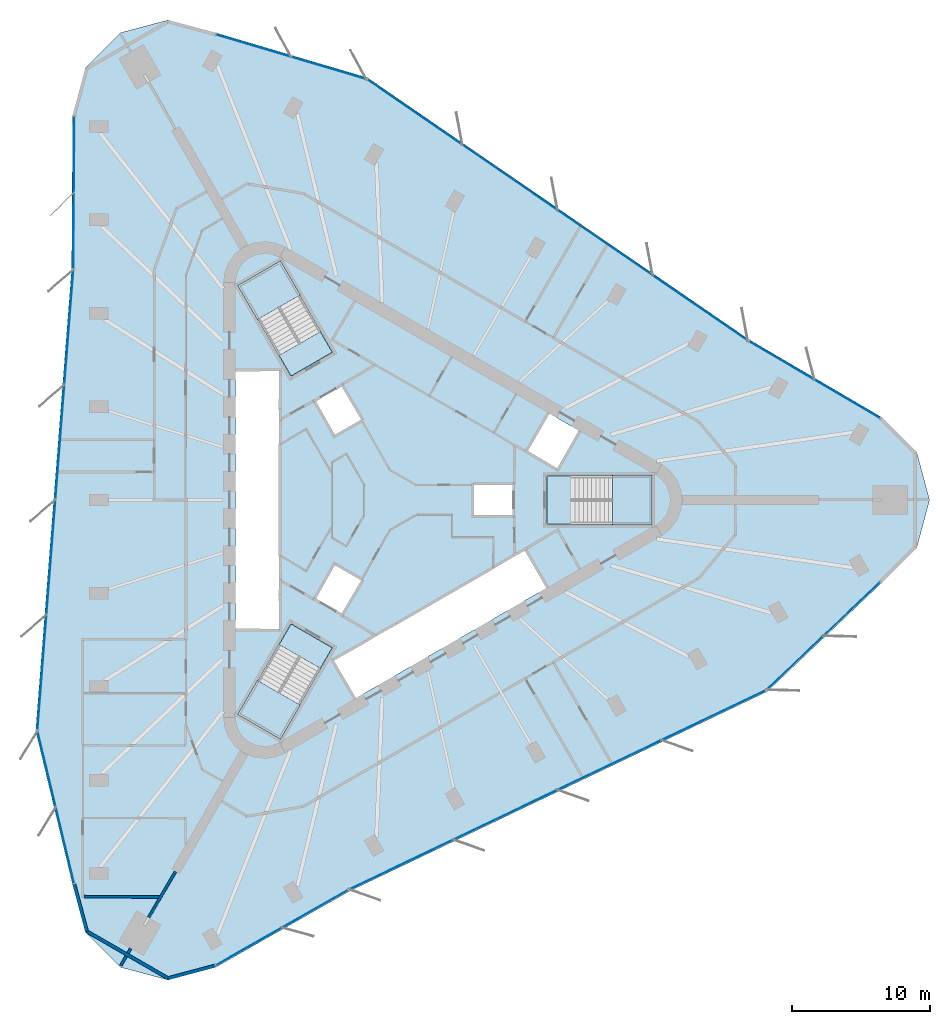
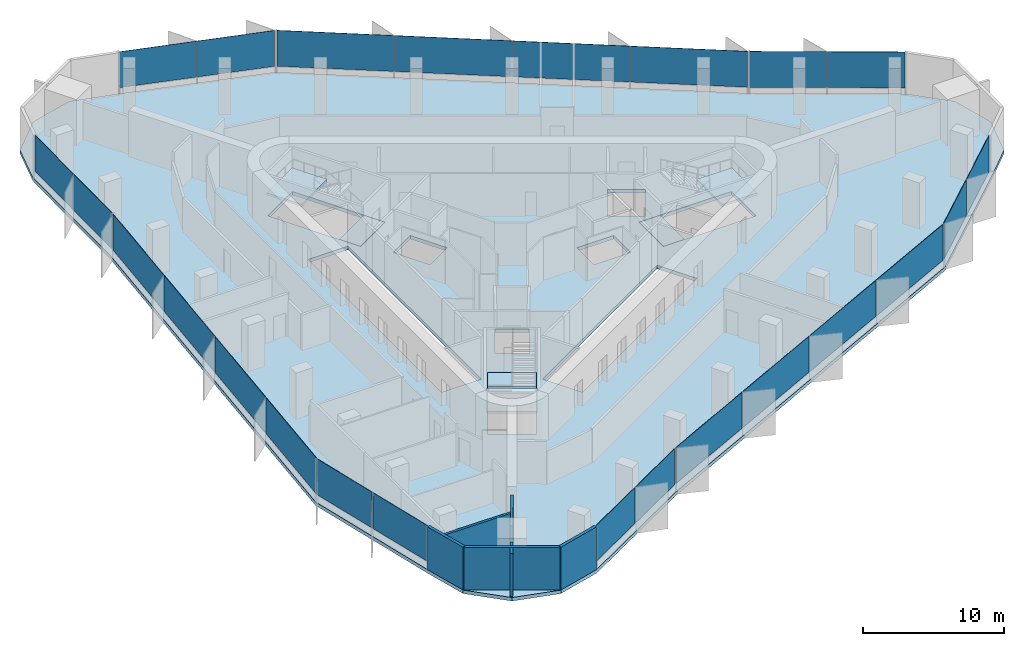
# One storey, part 7 of 13: 24 plates, 7 slabs, 7 walls, 12 elements without a shape of their own.
"""IFC4 building model written with IfcOpenShell, lengths in metres."""

from ifc_helpers import new_model, si_unit, direction, frame, frame_2d, origin, origin_2d, place, context, subcontext, project, spatial, polyline, rectangle, outline, extrude, material, layer, layer_set, type_object, element, aggregate, save


model = new_model("IFC4")

# Units and contexts
model_context = context("Model", 3, precision=1e-05, world=origin(), true_north=direction((0.0, 1.0)))
body_context = subcontext(model_context, "Body", "Model", "MODEL_VIEW")
ifc_project = project(units=[si_unit("LENGTHUNIT", "METRE"), si_unit("AREAUNIT", "SQUARE_METRE"), si_unit("VOLUMEUNIT", "CUBIC_METRE"), si_unit("PLANEANGLEUNIT", "RADIAN"), si_unit("MASSUNIT", "GRAM", prefix="KILO")], contexts=[model_context])

# Site, building, storey
site_placement = place(None, origin())
site = spatial("IfcSite", under=ifc_project, at=site_placement, CompositionType="ELEMENT")
building_placement = place(site_placement, origin())
building = spatial("IfcBuilding", under=site, at=building_placement, Name="Tanit Gate Tower", CompositionType="ELEMENT")
storey_placement = place(building_placement, frame((0.0, 0.0, 265.199951171875)))
storey = spatial("IfcBuildingStorey", under=building, at=storey_placement, Name="L60", CompositionType="ELEMENT", Elevation=265.199951171875)

# Slab
ifc_material_1 = material(Name="Concrete C35/45", Category="concrete")
ifc_layer_1 = layer(ifc_material_1, 0.300048828125)
ifc_layer_set_1 = layer_set([ifc_layer_1], Name="FLOOR SLAB 300 C35/45")
slab_type_1 = type_object("IfcSlabType", Name="FLOOR SLAB 300 C35/45", PredefinedType="FLOOR", material=ifc_layer_set_1)
slab_1_placement = place(storey_placement, frame((0.0, 0.0, -0.300048828125)))
element("IfcSlab", 1, at=slab_1_placement, inside=storey, type_object=slab_type_1, Name="FLOOR SLAB L60", PredefinedType="FLOOR", context=body_context, shape_type="SweptSolid", body=[
    extrude(outline(polyline([(35.658935546875, 5.9951171875), (38.19287109375, 3.461181640625), (39.1201171875, 0.0), (38.19287109375, -3.461181640625), (35.658935546875, -5.9951171875), (27.339111328125, -13.89208984375), (-2.942626953125, -28.364013671875), (-12.637451171875, -33.879150390625), (-16.098876953125, -34.806640625), (-19.56005859375, -33.879150390625), (-22.093994140625, -31.34521484375), (-23.021484375, -27.8837890625), (-25.7001953125, -16.73046875), (-23.092529296875, 16.73046875), (-23.021484375, 27.8837890625), (-22.093994140625, 31.34521484375), (-19.56005859375, 33.879150390625), (-16.098876953125, 34.806640625), (-12.637451171875, 33.879150390625), (-1.638671875, 30.622314453125), (26.03515625, 11.633544921875), (35.658935546875, 5.9951171875)]), holes=[polyline([(11.3701171875, 1.72998046875), (18.929931640625, 1.72998046875), (18.929931640625, -1.72998046875), (11.3701171875, -1.72998046875), (11.3701171875, 1.72998046875)]), polyline([(9.82080078125, 3.510009765625), (11.44580078125, 6.324462890625), (13.783935546875, 4.974609375), (12.158935546875, 2.159912109375), (9.82080078125, 3.510009765625)]), polyline([(-4.208984375, -11.60986328125), (9.82080078125, -3.510009765625), (11.44580078125, -6.324462890625), (-2.583984375, -14.424560546875), (-4.208984375, -11.60986328125)]), polyline([(6.0, 1.199951171875), (9.0, 1.199951171875), (9.0, -1.199951171875), (6.0, -1.199951171875), (6.0, 1.199951171875)]), polyline([(-5.539306640625, 7.194091796875), (-3.460693359375, 8.394287109375), (-1.960693359375, 5.796142578125), (-4.039306640625, 4.59619140625), (-5.539306640625, 7.194091796875)]), polyline([(-1.960693359375, -5.796142578125), (-3.460693359375, -8.394287109375), (-5.539306640625, -7.194091796875), (-4.039306640625, -4.59619140625), (-1.960693359375, -5.796142578125)]), polyline([(-10.963134765625, 15.52880859375), (-7.966796875, 17.2587890625), (-4.186767578125, 10.711669921875), (-7.18310546875, 8.981689453125), (-10.963134765625, 15.52880859375)]), polyline([(-4.186767578125, -10.711669921875), (-7.966796875, -17.2587890625), (-10.963134765625, -15.52880859375), (-7.18310546875, -8.981689453125), (-4.186767578125, -10.711669921875)]), polyline([(-11.199951171875, -9.449951171875), (-11.199951171875, 9.449951171875), (-7.949951171875, 9.449951171875), (-7.949951171875, -9.449951171875), (-11.199951171875, -9.449951171875)])]), origin(), (0.0, 0.0, 1.0), 0.300048828125),
])

# Curtain wall, plates
ifc_material_2 = material(Name="Aluminium bronze anodised and glass", Category="aluminium")
curtain_wall_type = type_object("IfcCurtainWallType", Name="Curtain wall typical mid", PredefinedType="NOTDEFINED", material=ifc_material_2)
curtain_wall_1_placement = place(storey_placement, origin())
curtain_wall_1 = element("IfcCurtainWall", 2, at=curtain_wall_1_placement, inside=storey, type_object=curtain_wall_type, Name="Curtain wall L60 NE1", PredefinedType="NOTDEFINED")
ifc_material_3 = material(Name="Glass tinted", Category="glass")
ifc_layer_2 = layer(ifc_material_3, 0.030029296875)
ifc_layer_set_2 = layer_set([ifc_layer_2], Name="Glass panel 30 typical mid")
plate_type = type_object("IfcPlateType", Name="Glass panel 30 typical mid", PredefinedType="CURTAIN_PANEL", material=ifc_layer_set_2)
plate_1_placement = place(storey_placement, frame((33.1640625, 7.317626953125, 0.60009765625), z_axis=(0.0, 0.0, 1.0), x_axis=(-0.862821001903, 0.505509563386, 0.0)))
plate_1 = element("IfcPlate", 3, at=plate_1_placement, type_object=plate_type, Name="Glass panel L60 NE1.1", PredefinedType="CURTAIN_PANEL", context=body_context, shape_type="SweptSolid", body=[
    extrude(rectangle(XDim=5.451416015625, YDim=0.030029296875, at=origin_2d()), origin(), (0.0, 0.0, 1.0), 3.10009765625),
])
plate_2_placement = place(storey_placement, frame((28.3916015625, 10.11376953125, 0.60009765625), z_axis=(0.0, 0.0, 1.0), x_axis=(-0.862821001903, 0.505509563386, 0.0)))
plate_2 = element("IfcPlate", 4, at=plate_2_placement, type_object=plate_type, Name="Glass panel L60 NE1.2", PredefinedType="CURTAIN_PANEL", context=body_context, shape_type="SweptSolid", body=[
    extrude(rectangle(XDim=5.451416015625, YDim=0.030029296875, at=origin_2d()), origin(), (0.0, 0.0, 1.0), 3.10009765625),
])
aggregate(curtain_wall_1, [plate_1, plate_2])

curtain_wall_2_placement = place(storey_placement, origin())
curtain_wall_2 = element("IfcCurtainWall", 5, at=curtain_wall_2_placement, inside=storey, type_object=curtain_wall_type, Name="Curtain wall L60 NE2", PredefinedType="NOTDEFINED")
plate_3_placement = place(storey_placement, frame((22.48828125, 13.921630859375, 0.60009765625), z_axis=(0.0, 0.0, 1.0), x_axis=(-0.824556572821, 0.565779513784, 0.0)))
plate_3 = element("IfcPlate", 6, at=plate_3_placement, type_object=plate_type, Name="Glass panel L60 NE2.1", PredefinedType="CURTAIN_PANEL", context=body_context, shape_type="SweptSolid", body=[
    extrude(rectangle(XDim=8.286865234375, YDim=0.030029296875, at=origin_2d()), origin(), (0.0, 0.0, 1.0), 3.10009765625),
])
plate_4_placement = place(storey_placement, frame((15.58935546875, 18.655517578125, 0.60009765625), z_axis=(0.0, 0.0, 1.0), x_axis=(-0.824556572821, 0.565779513784, 0.0)))
plate_4 = element("IfcPlate", 7, at=plate_4_placement, type_object=plate_type, Name="Glass panel L60 NE2.2", PredefinedType="CURTAIN_PANEL", context=body_context, shape_type="SweptSolid", body=[
    extrude(rectangle(XDim=8.286865234375, YDim=0.030029296875, at=origin_2d()), origin(), (0.0, 0.0, 1.0), 3.10009765625),
])
plate_5_placement = place(storey_placement, frame((8.6904296875, 23.38916015625, 0.60009765625), z_axis=(0.0, 0.0, 1.0), x_axis=(-0.824556572821, 0.565779513784, 0.0)))
plate_5 = element("IfcPlate", 8, at=plate_5_placement, type_object=plate_type, Name="Glass panel L60 NE2.3", PredefinedType="CURTAIN_PANEL", context=body_context, shape_type="SweptSolid", body=[
    extrude(rectangle(XDim=8.286865234375, YDim=0.030029296875, at=origin_2d()), origin(), (0.0, 0.0, 1.0), 3.10009765625),
])
plate_6_placement = place(storey_placement, frame((1.79150390625, 28.123046875, 0.60009765625), z_axis=(0.0, 0.0, 1.0), x_axis=(-0.824556572821, 0.565779513784, 0.0)))
plate_6 = element("IfcPlate", 9, at=plate_6_placement, type_object=plate_type, Name="Glass panel L60 NE2.4", PredefinedType="CURTAIN_PANEL", context=body_context, shape_type="SweptSolid", body=[
    extrude(rectangle(XDim=8.286865234375, YDim=0.030029296875, at=origin_2d()), origin(), (0.0, 0.0, 1.0), 3.10009765625),
])
aggregate(curtain_wall_2, [plate_3, plate_4, plate_5, plate_6])

curtain_wall_3_placement = place(storey_placement, origin())
curtain_wall_3 = element("IfcCurtainWall", 10, at=curtain_wall_3_placement, inside=storey, type_object=curtain_wall_type, Name="Curtain wall L60 NE3", PredefinedType="NOTDEFINED")
plate_7_placement = place(storey_placement, frame((-4.454833984375, 31.3310546875, 0.60009765625), z_axis=(0.0, 0.0, 1.0), x_axis=(-0.95884800892, 0.283919875653, 0.0)))
plate_7 = element("IfcPlate", 11, at=plate_7_placement, type_object=plate_type, Name="Glass panel L60 NE3.1", PredefinedType="CURTAIN_PANEL", context=body_context, shape_type="SweptSolid", body=[
    extrude(rectangle(XDim=5.60498046875, YDim=0.030029296875, at=origin_2d()), origin(), (0.0, 0.0, 1.0), 3.10009765625),
])
plate_8_placement = place(storey_placement, frame((-9.906005859375, 32.945068359375, 0.60009765625), z_axis=(0.0, 0.0, 1.0), x_axis=(-0.95884800892, 0.283919875653, 0.0)))
plate_8 = element("IfcPlate", 12, at=plate_8_placement, type_object=plate_type, Name="Glass panel L60 NE3.2", PredefinedType="CURTAIN_PANEL", context=body_context, shape_type="SweptSolid", body=[
    extrude(rectangle(XDim=5.60498046875, YDim=0.030029296875, at=origin_2d()), origin(), (0.0, 0.0, 1.0), 3.10009765625),
])
aggregate(curtain_wall_3, [plate_7, plate_8])

curtain_wall_4_placement = place(storey_placement, origin())
curtain_wall_4 = element("IfcCurtainWall", 13, at=curtain_wall_4_placement, inside=storey, type_object=curtain_wall_type, Name="Curtain wall L60 W1", PredefinedType="NOTDEFINED")
plate_9_placement = place(storey_placement, frame((-22.91943359375, 25.062255859375, 0.60009765625), z_axis=(0.0, 0.0, 1.0), x_axis=(-0.006373622797, -0.99997968826, 0.0)))
plate_9 = element("IfcPlate", 14, at=plate_9_placement, type_object=plate_type, Name="Glass panel L60 W1.1", PredefinedType="CURTAIN_PANEL", context=body_context, shape_type="SweptSolid", body=[
    extrude(rectangle(XDim=5.451416015625, YDim=0.030029296875, at=origin_2d()), origin(), (0.0, 0.0, 1.0), 3.10009765625),
])
plate_10_placement = place(storey_placement, frame((-22.95458984375, 19.531005859375, 0.60009765625), z_axis=(0.0, 0.0, 1.0), x_axis=(-0.006373622797, -0.99997968826, 0.0)))
plate_10 = element("IfcPlate", 15, at=plate_10_placement, type_object=plate_type, Name="Glass panel L60 W1.2", PredefinedType="CURTAIN_PANEL", context=body_context, shape_type="SweptSolid", body=[
    extrude(rectangle(XDim=5.451416015625, YDim=0.030029296875, at=origin_2d()), origin(), (0.0, 0.0, 1.0), 3.10009765625),
])
aggregate(curtain_wall_4, [plate_9, plate_10])

curtain_wall_5_placement = place(storey_placement, origin())
curtain_wall_5 = element("IfcCurtainWall", 16, at=curtain_wall_5_placement, inside=storey, type_object=curtain_wall_type, Name="Curtain wall L60 W2", PredefinedType="NOTDEFINED")
plate_11_placement = place(storey_placement, frame((-23.30078125, 12.5146484375, 0.60009765625), z_axis=(0.0, 0.0, 1.0), x_axis=(-0.077701145467, -0.996976695812, 0.0)))
plate_11 = element("IfcPlate", 17, at=plate_11_placement, type_object=plate_type, Name="Glass panel L60 W2.1", PredefinedType="CURTAIN_PANEL", context=body_context, shape_type="SweptSolid", body=[
    extrude(rectangle(XDim=8.286865234375, YDim=0.030029296875, at=origin_2d()), origin(), (0.0, 0.0, 1.0), 3.10009765625),
])
plate_12_placement = place(storey_placement, frame((-23.950927734375, 4.173095703125, 0.60009765625), z_axis=(0.0, 0.0, 1.0), x_axis=(-0.077701145467, -0.996976695812, 0.0)))
plate_12 = element("IfcPlate", 18, at=plate_12_placement, type_object=plate_type, Name="Glass panel L60 W2.2", PredefinedType="CURTAIN_PANEL", context=body_context, shape_type="SweptSolid", body=[
    extrude(rectangle(XDim=8.286865234375, YDim=0.030029296875, at=origin_2d()), origin(), (0.0, 0.0, 1.0), 3.10009765625),
])
plate_13_placement = place(storey_placement, frame((-24.600830078125, -4.16845703125, 0.60009765625), z_axis=(0.0, 0.0, 1.0), x_axis=(-0.077701145467, -0.996976695812, 0.0)))
plate_13 = element("IfcPlate", 19, at=plate_13_placement, type_object=plate_type, Name="Glass panel L60 W2.3", PredefinedType="CURTAIN_PANEL", context=body_context, shape_type="SweptSolid", body=[
    extrude(rectangle(XDim=8.286865234375, YDim=0.030029296875, at=origin_2d()), origin(), (0.0, 0.0, 1.0), 3.10009765625),
])
plate_14_placement = place(storey_placement, frame((-25.2509765625, -12.510009765625, 0.60009765625), z_axis=(0.0, 0.0, 1.0), x_axis=(-0.077701145467, -0.996976695812, 0.0)))
plate_14 = element("IfcPlate", 20, at=plate_14_placement, type_object=plate_type, Name="Glass panel L60 W2.4", PredefinedType="CURTAIN_PANEL", context=body_context, shape_type="SweptSolid", body=[
    extrude(rectangle(XDim=8.286865234375, YDim=0.030029296875, at=origin_2d()), origin(), (0.0, 0.0, 1.0), 3.10009765625),
])
aggregate(curtain_wall_5, [plate_11, plate_12, plate_13, plate_14])

curtain_wall_6_placement = place(storey_placement, origin())
curtain_wall_6 = element("IfcCurtainWall", 21, at=curtain_wall_6_placement, inside=storey, type_object=curtain_wall_type, Name="Curtain wall L60 W3", PredefinedType="NOTDEFINED")
plate_15_placement = place(storey_placement, frame((-24.906005859375, -19.523681640625, 0.60009765625), z_axis=(0.0, 0.0, 1.0), x_axis=(0.233542179505, -0.972346671919, 0.0)))
plate_15 = element("IfcPlate", 22, at=plate_15_placement, type_object=plate_type, Name="Glass panel L60 W3.1", PredefinedType="CURTAIN_PANEL", context=body_context, shape_type="SweptSolid", body=[
    extrude(rectangle(XDim=5.60498046875, YDim=0.030029296875, at=origin_2d()), origin(), (0.0, 0.0, 1.0), 3.10009765625),
])
plate_16_placement = place(storey_placement, frame((-23.578369140625, -25.051513671875, 0.60009765625), z_axis=(0.0, 0.0, 1.0), x_axis=(0.233542179505, -0.972346671919, 0.0)))
plate_16 = element("IfcPlate", 23, at=plate_16_placement, type_object=plate_type, Name="Glass panel L60 W3.2", PredefinedType="CURTAIN_PANEL", context=body_context, shape_type="SweptSolid", body=[
    extrude(rectangle(XDim=5.60498046875, YDim=0.030029296875, at=origin_2d()), origin(), (0.0, 0.0, 1.0), 3.10009765625),
])
aggregate(curtain_wall_6, [plate_15, plate_16])

curtain_wall_7_placement = place(storey_placement, origin())
curtain_wall_7 = element("IfcCurtainWall", 24, at=curtain_wall_7_placement, inside=storey, type_object=curtain_wall_type, Name="Curtain wall L60 SE1", PredefinedType="NOTDEFINED")
plate_17_placement = place(storey_placement, frame((-10.244873046875, -32.3798828125, 0.60009765625), z_axis=(0.0, 0.0, 1.0), x_axis=(0.8691946247, 0.494470124873, 0.0)))
plate_17 = element("IfcPlate", 25, at=plate_17_placement, type_object=plate_type, Name="Glass panel L60 SE1.1", PredefinedType="CURTAIN_PANEL", context=body_context, shape_type="SweptSolid", body=[
    extrude(rectangle(XDim=5.451416015625, YDim=0.030029296875, at=origin_2d()), origin(), (0.0, 0.0, 1.0), 3.10009765625),
])
plate_18_placement = place(storey_placement, frame((-5.43701171875, -29.644775390625, 0.60009765625), z_axis=(0.0, 0.0, 1.0), x_axis=(0.8691946247, 0.494470124873, 0.0)))
plate_18 = element("IfcPlate", 26, at=plate_18_placement, type_object=plate_type, Name="Glass panel L60 SE1.2", PredefinedType="CURTAIN_PANEL", context=body_context, shape_type="SweptSolid", body=[
    extrude(rectangle(XDim=5.451416015625, YDim=0.030029296875, at=origin_2d()), origin(), (0.0, 0.0, 1.0), 3.10009765625),
])
aggregate(curtain_wall_7, [plate_17, plate_18])

curtain_wall_8_placement = place(storey_placement, origin())
curtain_wall_8 = element("IfcCurtainWall", 27, at=curtain_wall_8_placement, inside=storey, type_object=curtain_wall_type, Name="Curtain wall L60 SE2", PredefinedType="NOTDEFINED")
plate_19_placement = place(storey_placement, frame((0.812255859375, -26.436279296875, 0.60009765625), z_axis=(0.0, 0.0, 1.0), x_axis=(0.902257718288, 0.431197182029, 0.0)))
plate_19 = element("IfcPlate", 28, at=plate_19_placement, type_object=plate_type, Name="Glass panel L60 SE2.1", PredefinedType="CURTAIN_PANEL", context=body_context, shape_type="SweptSolid", body=[
    extrude(rectangle(XDim=8.286865234375, YDim=0.030029296875, at=origin_2d()), origin(), (0.0, 0.0, 1.0), 3.10009765625),
])
plate_20_placement = place(storey_placement, frame((8.361572265625, -22.82861328125, 0.60009765625), z_axis=(0.0, 0.0, 1.0), x_axis=(0.902257718288, 0.431197182029, 0.0)))
plate_20 = element("IfcPlate", 29, at=plate_20_placement, type_object=plate_type, Name="Glass panel L60 SE2.2", PredefinedType="CURTAIN_PANEL", context=body_context, shape_type="SweptSolid", body=[
    extrude(rectangle(XDim=8.286865234375, YDim=0.030029296875, at=origin_2d()), origin(), (0.0, 0.0, 1.0), 3.10009765625),
])
plate_21_placement = place(storey_placement, frame((15.910400390625, -19.220703125, 0.60009765625), z_axis=(0.0, 0.0, 1.0), x_axis=(0.902257718288, 0.431197182029, 0.0)))
plate_21 = element("IfcPlate", 30, at=plate_21_placement, type_object=plate_type, Name="Glass panel L60 SE2.3", PredefinedType="CURTAIN_PANEL", context=body_context, shape_type="SweptSolid", body=[
    extrude(rectangle(XDim=8.286865234375, YDim=0.030029296875, at=origin_2d()), origin(), (0.0, 0.0, 1.0), 3.10009765625),
])
plate_22_placement = place(storey_placement, frame((23.45947265625, -15.613037109375, 0.60009765625), z_axis=(0.0, 0.0, 1.0), x_axis=(0.902257718288, 0.431197182029, 0.0)))
plate_22 = element("IfcPlate", 31, at=plate_22_placement, type_object=plate_type, Name="Glass panel L60 SE2.4", PredefinedType="CURTAIN_PANEL", context=body_context, shape_type="SweptSolid", body=[
    extrude(rectangle(XDim=8.286865234375, YDim=0.030029296875, at=origin_2d()), origin(), (0.0, 0.0, 1.0), 3.10009765625),
])
aggregate(curtain_wall_8, [plate_19, plate_20, plate_21, plate_22])

curtain_wall_9_placement = place(storey_placement, origin())
curtain_wall_9 = element("IfcCurtainWall", 32, at=curtain_wall_9_placement, inside=storey, type_object=curtain_wall_type, Name="Curtain wall L60 SE3", PredefinedType="NOTDEFINED")
plate_23_placement = place(storey_placement, frame((29.36083984375, -11.807373046875, 0.60009765625), z_axis=(0.0, 0.0, 1.0), x_axis=(0.725305829415, 0.688426796266, 0.0)))
plate_23 = element("IfcPlate", 33, at=plate_23_placement, type_object=plate_type, Name="Glass panel L60 SE3.1", PredefinedType="CURTAIN_PANEL", context=body_context, shape_type="SweptSolid", body=[
    extrude(rectangle(XDim=5.60498046875, YDim=0.030029296875, at=origin_2d()), origin(), (0.0, 0.0, 1.0), 3.10009765625),
])
plate_24_placement = place(storey_placement, frame((33.484375, -7.8935546875, 0.60009765625), z_axis=(0.0, 0.0, 1.0), x_axis=(0.725305829415, 0.688426796266, 0.0)))
plate_24 = element("IfcPlate", 34, at=plate_24_placement, type_object=plate_type, Name="Glass panel L60 SE3.2", PredefinedType="CURTAIN_PANEL", context=body_context, shape_type="SweptSolid", body=[
    extrude(rectangle(XDim=5.60498046875, YDim=0.030029296875, at=origin_2d()), origin(), (0.0, 0.0, 1.0), 3.10009765625),
])
aggregate(curtain_wall_9, [plate_23, plate_24])

# Stair, slab
ifc_material_4 = material(Name="Concrete C40/50", Category="concrete")
stair_type = type_object("IfcStairType", Name="INT-STAIR-EXIT", PredefinedType="HALF_TURN_STAIR", material=ifc_material_4)
stair_1_placement = place(storey_placement, origin())
stair_1 = element("IfcStair", 35, at=stair_1_placement, inside=storey, type_object=stair_type, Name="L60 STAIR S1", PredefinedType="HALF_TURN_STAIR")
ifc_material_5 = material(Name="Concrete C40/50", Category="concrete")
ifc_layer_3 = layer(ifc_material_5, 0.199951171875)
ifc_layer_set_3 = layer_set([ifc_layer_3], Name="INT-STAIR-LANDING")
slab_type_2 = type_object("IfcSlabType", Name="INT-STAIR-LANDING", PredefinedType="LANDING", material=ifc_layer_set_3)
slab_2_placement = place(storey_placement, frame((0.0, 0.0, 1.800048828125)))
slab_2 = element("IfcSlab", 36, at=slab_2_placement, type_object=slab_type_2, Name="S1 landing 1", PredefinedType="LANDING", context=body_context, shape_type="SweptSolid", body=[
    extrude(outline(polyline([(16.135986328125, -1.800048828125), (19.0, -1.800048828125), (19.0, 1.800048828125), (16.135986328125, 1.800048828125), (16.135986328125, -1.800048828125)])), origin(), (0.0, 0.0, 1.0), 0.199951171875),
])
aggregate(stair_1, [slab_2])

# Slab
slab_3_placement = place(storey_placement, frame((0.0, 0.0, -0.199951171875)))
element("IfcSlab", 37, at=slab_3_placement, inside=storey, type_object=slab_type_2, Name="S1 floor landing", PredefinedType="LANDING", context=body_context, shape_type="SweptSolid", body=[
    extrude(outline(polyline([(11.3798828125, -1.719970703125), (13.10498046875, -1.719970703125), (13.10498046875, 1.719970703125), (11.3798828125, 1.719970703125), (11.3798828125, -1.719970703125)])), origin(), (0.0, 0.0, 1.0), 0.199951171875),
])

# Stair, slab
stair_2_placement = place(storey_placement, origin())
stair_2 = element("IfcStair", 38, at=stair_2_placement, inside=storey, type_object=stair_type, Name="L60 STAIR S2", PredefinedType="HALF_TURN_STAIR")
slab_4_placement = place(storey_placement, frame((0.0, 0.0, 1.800048828125)))
slab_4 = element("IfcSlab", 39, at=slab_4_placement, type_object=slab_type_2, Name="S2 landing 1", PredefinedType="LANDING", context=body_context, shape_type="SweptSolid", body=[
    extrude(outline(polyline([(-6.5078125, 14.871826171875), (-7.941162109375, 17.3544921875), (-11.058837890625, 15.554443359375), (-9.62548828125, 13.07177734375), (-6.5078125, 14.871826171875)])), origin(), (0.0, 0.0, 1.0), 0.199951171875),
])
aggregate(stair_2, [slab_4])

# Slab
slab_5_placement = place(storey_placement, frame((0.0, 0.0, -0.199951171875)))
element("IfcSlab", 40, at=slab_5_placement, inside=storey, type_object=slab_type_2, Name="S2 floor landing", PredefinedType="LANDING", context=body_context, shape_type="SweptSolid", body=[
    extrude(outline(polyline([(-4.200439453125, 10.71533203125), (-5.0625, 12.20849609375), (-8.04150390625, 10.48828125), (-7.179443359375, 8.995361328125), (-4.200439453125, 10.71533203125)])), origin(), (0.0, 0.0, 1.0), 0.199951171875),
])

# Stair, slab
stair_3_placement = place(storey_placement, origin())
stair_3 = element("IfcStair", 41, at=stair_3_placement, inside=storey, type_object=stair_type, Name="L60 STAIR S3", PredefinedType="HALF_TURN_STAIR")
slab_6_placement = place(storey_placement, frame((0.0, 0.0, 1.800048828125)))
slab_6 = element("IfcSlab", 42, at=slab_6_placement, type_object=slab_type_2, Name="S3 landing 1", PredefinedType="LANDING", context=body_context, shape_type="SweptSolid", body=[
    extrude(outline(polyline([(-9.626953125, -13.07421875), (-11.058837890625, -15.554443359375), (-7.941162109375, -17.3544921875), (-6.509033203125, -14.874267578125), (-9.626953125, -13.07421875)])), origin(), (0.0, 0.0, 1.0), 0.199951171875),
])
aggregate(stair_3, [slab_6])

# Slab
slab_7_placement = place(storey_placement, frame((0.0, 0.0, -0.199951171875)))
element("IfcSlab", 43, at=slab_7_placement, inside=storey, type_object=slab_type_2, Name="S3 floor landing", PredefinedType="LANDING", context=body_context, shape_type="SweptSolid", body=[
    extrude(outline(polyline([(-7.179443359375, -8.995361328125), (-8.0419921875, -10.4892578125), (-5.06298828125, -12.209228515625), (-4.200439453125, -10.71533203125), (-7.179443359375, -8.995361328125)])), origin(), (0.0, 0.0, 1.0), 0.199951171875),
])

# Walls
ifc_material_6 = material(Name="Concrete C30/37 with bronze anodised aluminium cladding", Category="concrete")
ifc_layer_4 = layer(ifc_material_6, 0.239990234375)
ifc_layer_set_4 = layer_set([ifc_layer_4], Name="Facade wall bronze clad 240")
wall_type_1 = type_object("IfcWallType", Name="Facade wall bronze clad 240", PredefinedType="SOLIDWALL", material=ifc_layer_set_4)
wall_1_placement = place(storey_placement, frame((-22.905029296875, -27.8544921875, 0.0), z_axis=(0.0, 0.0, 1.0), x_axis=(0.258814010312, -0.965927175343, 0.0)))
element("IfcWall", 44, at=wall_1_placement, inside=storey, type_object=wall_type_1, Name="Bronze-clad facade wall L60 SW.arc1", PredefinedType="SOLIDWALL", context=body_context, shape_type="SweptSolid", body=[
    extrude(rectangle(XDim=3.549560546875, YDim=0.239990234375, at=frame_2d((1.77490234375, 0.0))), origin(), (0.0, 0.0, 1.0), 3.699951171875),
])
wall_2_placement = place(storey_placement, frame((-21.986328125, -31.283203125, 0.0), z_axis=(0.0, 0.0, 1.0), x_axis=(0.866022320763, -0.500005339912, 0.0)))
element("IfcWall", 45, at=wall_2_placement, inside=storey, type_object=wall_type_1, Name="Bronze-clad facade wall L60 SW.arc2", PredefinedType="SOLIDWALL", context=body_context, shape_type="SweptSolid", body=[
    extrude(rectangle(XDim=6.79833984375, YDim=0.239990234375, at=frame_2d((3.399169921875, 0.0))), origin(), (0.0, 0.0, 1.0), 3.699951171875),
])
wall_3_placement = place(storey_placement, frame((-16.098876953125, -34.682373046875, 0.0), z_axis=(0.0, 0.0, 1.0), x_axis=(0.965919080444, 0.258844219627, 0.0)))
element("IfcWall", 46, at=wall_3_placement, inside=storey, type_object=wall_type_1, Name="Bronze-clad facade wall L60 SW.arc3", PredefinedType="SOLIDWALL", context=body_context, shape_type="SweptSolid", body=[
    extrude(rectangle(XDim=3.5361328125, YDim=0.239990234375, at=frame_2d((1.76806640625, 0.0))), origin(), (0.0, 0.0, 1.0), 3.699951171875),
])
ifc_material_7 = material(Name="Fire-rated gypsum board partition")
ifc_layer_5 = layer(ifc_material_7, 0.199951171875)
ifc_layer_set_5 = layer_set([ifc_layer_5], Name="INT-WALL-COMPARTMENT")
wall_type_2 = type_object("IfcWallType", Name="INT-WALL-COMPARTMENT", PredefinedType="PARTITIONING", material=ifc_layer_set_5)
wall_4_placement = place(storey_placement, frame((-15.557373046875, -26.946044921875, 0.0), z_axis=(0.0, 0.0, 1.0), x_axis=(-0.506699088554, -0.862122980588, 0.0)))
element("IfcWall", 47, at=wall_4_placement, inside=storey, type_object=wall_type_2, Name="Wall Compartment W130", PredefinedType="PARTITIONING", context=body_context, shape_type="SweptSolid", body=[
    extrude(rectangle(XDim=3.85546875, YDim=0.199951171875, at=frame_2d((1.927734375, 0.0))), origin(), (0.0, 0.0, 1.0), 3.27001953125),
])
wall_5_placement = place(storey_placement, frame((-18.81103515625, -32.521728515625, 0.0), z_axis=(0.0, 0.0, 1.0), x_axis=(-0.500061319399, -0.865989998118, 0.0)))
element("IfcWall", 48, at=wall_5_placement, inside=storey, type_object=wall_type_2, Name="Wall Compartment W114", PredefinedType="PARTITIONING", context=body_context, shape_type="SweptSolid", body=[
    extrude(rectangle(XDim=0.39501953125, YDim=0.199951171875, at=frame_2d((0.197509765625, 0.0))), origin(), (0.0, 0.0, 1.0), 3.699951171875),
])
wall_6_placement = place(storey_placement, frame((-19.128662109375, -33.071533203125, 0.0), z_axis=(0.0, 0.0, 1.0), x_axis=(-0.499929430274, -0.866066143401, 0.0)))
element("IfcWall", 49, at=wall_6_placement, inside=storey, type_object=wall_type_2, Name="Wall Compartment W114x1", PredefinedType="PARTITIONING", context=body_context, shape_type="SweptSolid", body=[
    extrude(rectangle(XDim=0.78271484375, YDim=0.199951171875, at=frame_2d((0.391357421875, 0.0))), origin(), (0.0, 0.0, 1.0), 3.699951171875),
])
wall_7_placement = place(storey_placement, frame((-22.179931640625, -28.760498046875, 0.0), z_axis=(0.0, 0.0, 1.0), x_axis=(0.999985875988, -0.005314868268, 0.0)))
element("IfcWall", 50, at=wall_7_placement, inside=storey, type_object=wall_type_2, Name="Wall Compartment W121", PredefinedType="PARTITIONING", context=body_context, shape_type="SweptSolid", body=[
    extrude(rectangle(XDim=5.55810546875, YDim=0.199951171875, at=frame_2d((2.779052734375, 0.0))), origin(), (0.0, 0.0, 1.0), 3.27001953125),
])

save(model, "model.ifc")
